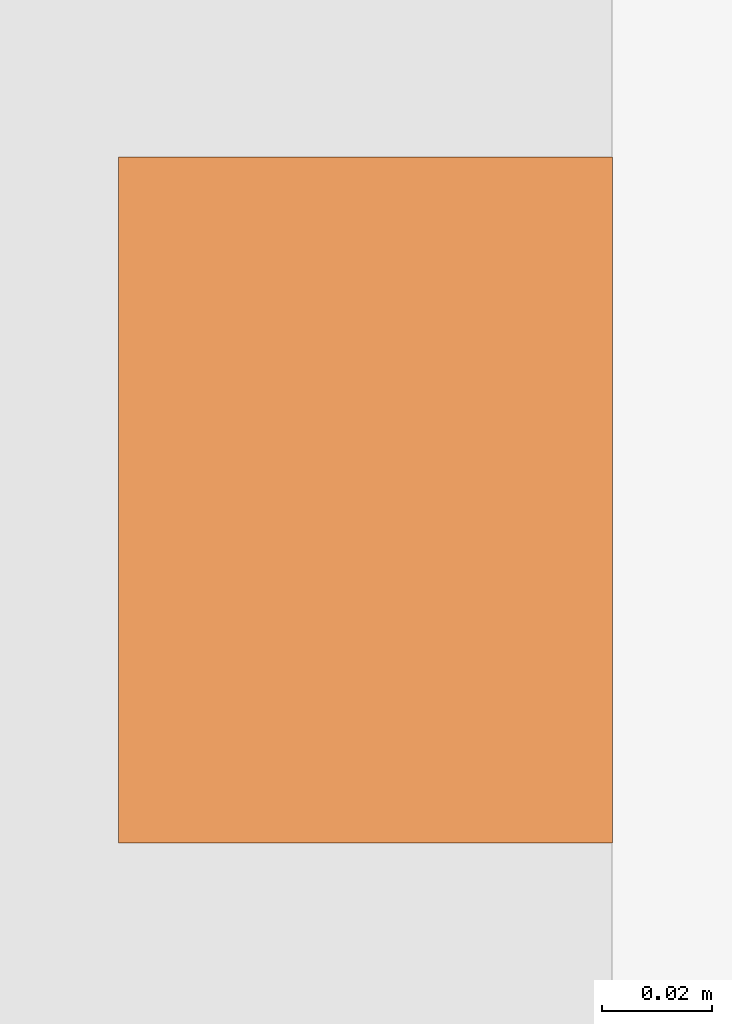
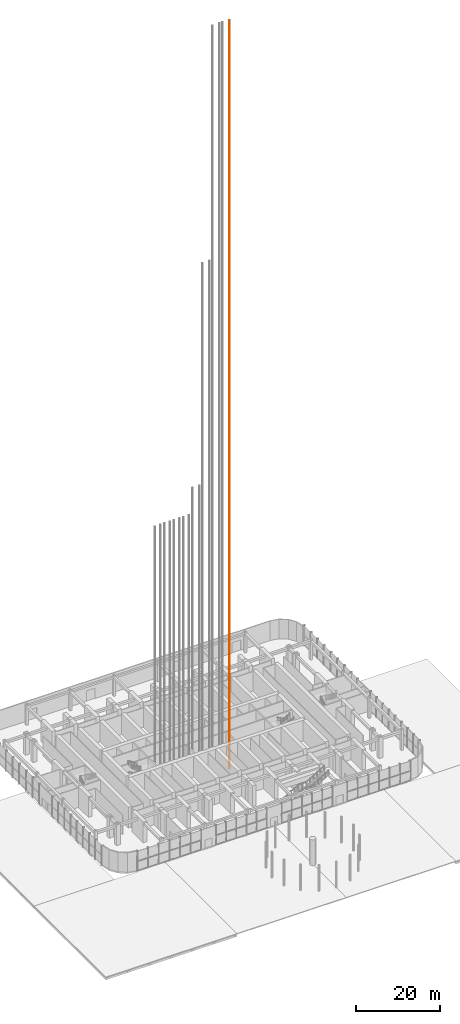
# One storey, part 57 of 57: 1 proxy.
"""IFC4 building model written with IfcOpenShell, lengths in metres."""

from ifc_helpers import new_model, si_unit, direction, frame, origin, origin_2d, place, context, subcontext, project, spatial, rectangle, extrude, material, element, save


model = new_model("IFC4")

# Units and contexts
model_context = context("Model", 3, precision=1e-05, world=origin(), true_north=direction((0.0, 1.0)))
body_context = subcontext(model_context, "Body", "Model", "MODEL_VIEW")
ifc_project = project(units=[si_unit("LENGTHUNIT", "METRE"), si_unit("AREAUNIT", "SQUARE_METRE"), si_unit("VOLUMEUNIT", "CUBIC_METRE"), si_unit("PLANEANGLEUNIT", "RADIAN"), si_unit("MASSUNIT", "GRAM", prefix="KILO")], contexts=[model_context])

# Site, building, storey
site_placement = place(None, origin())
site = spatial("IfcSite", under=ifc_project, at=site_placement, CompositionType="ELEMENT")
building_placement = place(site_placement, origin())
building = spatial("IfcBuilding", under=site, at=building_placement, Name="Orbita Commons", CompositionType="ELEMENT")
storey_placement = place(building_placement, origin())
storey = spatial("IfcBuildingStorey", under=building, at=storey_placement, Name="L00", CompositionType="ELEMENT", Elevation=0.0)

# Proxy
ifc_material = material(Name="Machined steel guide rail", Category="steel")
placement = place(storey_placement, frame((46.02490234375, 28.10009765625, 0.0), z_axis=(0.0, 0.0, 1.0), x_axis=(1.0, 0.0, 0.0)))
proxy_placement = place(placement, frame((0.955078125, 0.0, -3.199951171875)))
element("IfcBuildingElementProxy", 1, at=proxy_placement, inside=storey, material=ifc_material, Name="SH32 guide rail 2", ObjectType="GUIDE RAIL", PredefinedType="USERDEFINED", context=body_context, shape_type="SweptSolid", body=[
    extrude(rectangle(XDim=0.09, YDim=0.125, at=origin_2d()), origin(), (0.0, 0.0, 1.0), 217.0),
])

save(model, "model.ifc")
